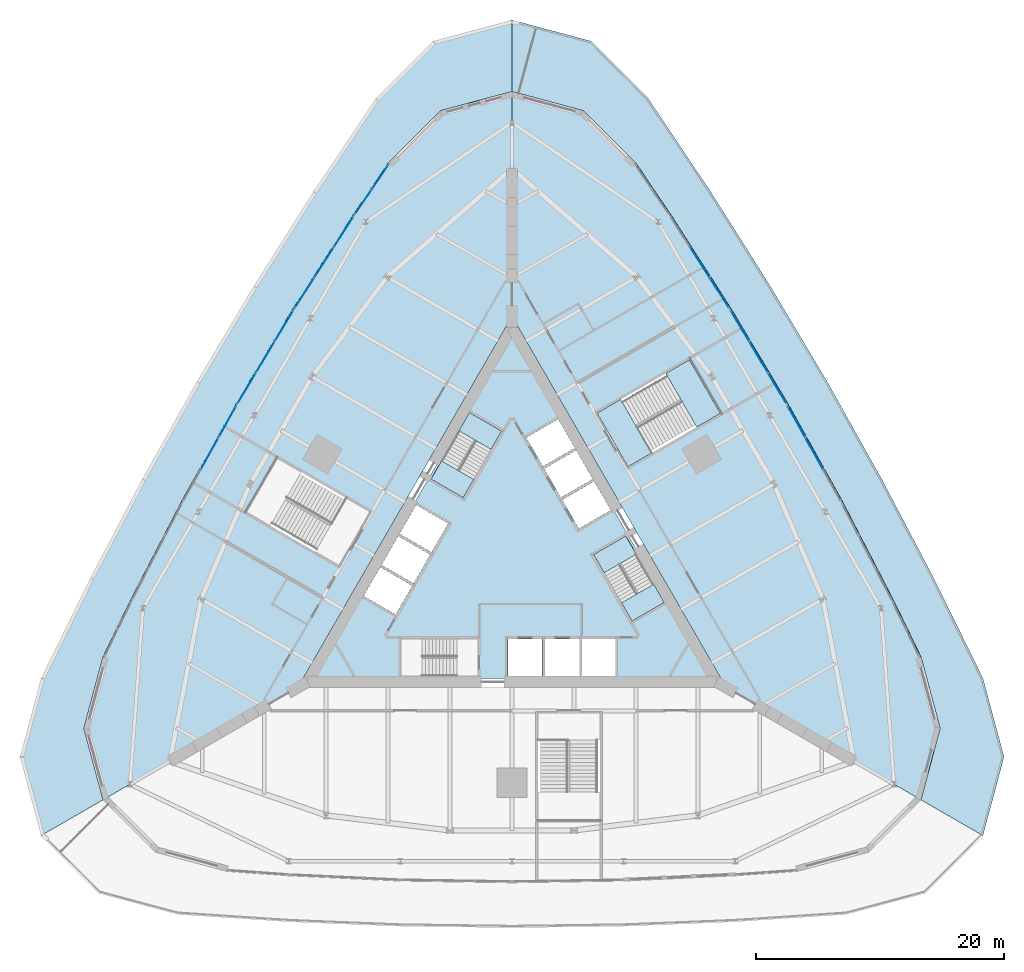
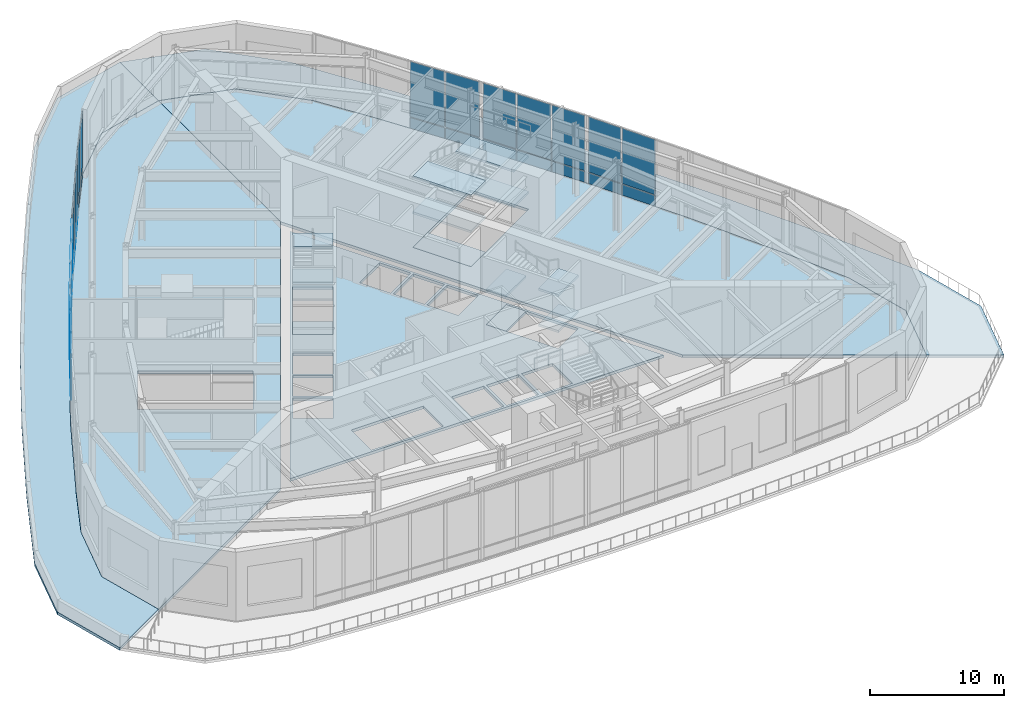
# One storey, part 10 of 19: 34 plates, 18 slabs, 10 elements without a shape of their own.
"""IFC4 building model written with IfcOpenShell, lengths in metres."""

from ifc_helpers import new_model, si_unit, direction, frame, origin, origin_2d, place, context, subcontext, project, spatial, polyline, rectangle, outline, extrude, material, layer, layer_set, type_object, element, aggregate, save


model = new_model("IFC4")

# Units and contexts
model_context = context("Model", 3, precision=1e-05, world=origin(), true_north=direction((0.0, 1.0)))
body_context = subcontext(model_context, "Body", "Model", "MODEL_VIEW")
ifc_project = project(units=[si_unit("LENGTHUNIT", "METRE"), si_unit("AREAUNIT", "SQUARE_METRE"), si_unit("VOLUMEUNIT", "CUBIC_METRE"), si_unit("PLANEANGLEUNIT", "RADIAN"), si_unit("MASSUNIT", "GRAM", prefix="KILO")], contexts=[model_context])

# Site, building, storey
site_placement = place(None, origin())
site = spatial("IfcSite", under=ifc_project, at=site_placement, CompositionType="ELEMENT")
building_placement = place(site_placement, origin())
building = spatial("IfcBuilding", under=site, at=building_placement, Name="Trikona Tower", CompositionType="ELEMENT")
storey_placement = place(building_placement, frame((0.0, 0.0, 11.0)))
storey = spatial("IfcBuildingStorey", under=building, at=storey_placement, Name="L02", CompositionType="ELEMENT", Elevation=11.0)

# Slabs
ifc_material_1 = material(Name="Concrete f'c 5000 psi lightweight on composite steel deck", Category="concrete")
ifc_layer_1 = layer(ifc_material_1, 0.25)
ifc_layer_set_1 = layer_set([ifc_layer_1], Name="Composite floor slab 250")
slab_type_1 = type_object("IfcSlabType", Name="Composite floor slab 250", PredefinedType="FLOOR", material=ifc_layer_set_1)
slab_1_placement = place(storey_placement, frame((0.0, 0.0, -0.25)))
element("IfcSlab", 1, at=slab_1_placement, inside=storey, type_object=slab_type_1, Name="Floor slab L02 core", PredefinedType="FLOOR", context=body_context, shape_type="SweptSolid", body=[
    extrude(outline(polyline([(-16.06689453125, -9.2763671875), (16.06689453125, -9.2763671875), (0.0, 18.552490234375), (-16.06689453125, -9.2763671875)]), holes=[polyline([(9.687255859375, -4.626220703125), (12.285400390625, -3.126220703125), (9.185302734375, 2.2431640625), (6.587158203125, 0.7431640625), (9.687255859375, -4.626220703125)]), polyline([(5.659912109375, -9.06640625), (8.340087890625, -9.06640625), (8.340087890625, -6.086181640625), (5.659912109375, -6.086181640625), (5.659912109375, -9.06640625)]), polyline([(4.05078125, 5.15625), (5.390869140625, 2.835205078125), (7.9716796875, 4.3251953125), (6.631591796875, 6.646240234375), (4.05078125, 5.15625)]), polyline([(5.181640625, 9.15771484375), (2.600830078125, 7.667724609375), (3.94091796875, 5.3466796875), (6.521484375, 6.8369140625), (5.181640625, 9.15771484375)]), polyline([(5.43994140625, -9.06640625), (5.43994140625, -6.086181640625), (2.659912109375, -6.086181640625), (2.659912109375, -9.06640625), (5.43994140625, -9.06640625)]), polyline([(5.071533203125, 9.34814453125), (3.731689453125, 11.669189453125), (1.15087890625, 10.17919921875), (2.490966796875, 7.858154296875), (5.071533203125, 9.34814453125)]), polyline([(2.43994140625, -6.086181640625), (-0.340087890625, -6.086181640625), (-0.340087890625, -9.06640625), (2.43994140625, -9.06640625), (2.43994140625, -6.086181640625)]), polyline([(-0.837158203125, 10.702392578125), (-3.435302734375, 12.202392578125), (-6.535400390625, 6.8330078125), (-3.937255859375, 5.3330078125), (-0.837158203125, 10.702392578125)]), polyline([(-8.949951171875, -6.076416015625), (-8.949951171875, -9.076416015625), (-2.75, -9.076416015625), (-2.75, -6.076416015625), (-8.949951171875, -6.076416015625)]), polyline([(-6.490966796875, 0.929931640625), (-5.15087890625, 3.2509765625), (-7.731689453125, 4.740966796875), (-9.071533203125, 2.419921875), (-6.490966796875, 0.929931640625)]), polyline([(-10.521484375, -0.09130859375), (-7.94091796875, -1.581298828125), (-6.600830078125, 0.739501953125), (-9.181640625, 2.2294921875), (-10.521484375, -0.09130859375)]), polyline([(-10.631591796875, -0.281982421875), (-11.9716796875, -2.602783203125), (-9.390869140625, -4.093017578125), (-8.05078125, -1.77197265625), (-10.631591796875, -0.281982421875)])]), origin(), (0.0, 0.0, 1.0), 0.25),
])
slab_2_placement = place(storey_placement, frame((0.0, 0.0, -0.25)))
element("IfcSlab", 2, at=slab_2_placement, inside=storey, type_object=slab_type_1, Name="Floor slab L02 north-east", PredefinedType="FLOOR", context=body_context, shape_type="SweptSolid", body=[
    extrude(outline(polyline([(22.296630859375, 12.873046875), (17.6748046875, 20.5966796875), (12.808837890625, 28.1796875), (10.0, 32.33154296875), (5.7734375, 36.55810546875), (0.0, 38.10498046875), (0.0, 19.95263671875), (17.279296875, -9.976318359375), (33.0, -19.052490234375), (34.547119140625, -13.279052734375), (33.0, -7.505615234375), (30.808837890625, -2.997314453125), (26.6748046875, 5.00830078125), (22.296630859375, 12.873046875)]), holes=[polyline([(9.364990234375, 7.831787109375), (16.81298828125, 12.1318359375), (14.31298828125, 16.4619140625), (6.864990234375, 12.161865234375), (9.364990234375, 7.831787109375)])]), origin(), (0.0, 0.0, 1.0), 0.25),
])
slab_3_placement = place(storey_placement, frame((0.0, 0.0, -0.25)))
element("IfcSlab", 3, at=slab_3_placement, inside=storey, type_object=slab_type_1, Name="Floor slab L02 north-west", PredefinedType="FLOOR", context=body_context, shape_type="SweptSolid", body=[
    extrude(outline(polyline([(-34.547119140625, -13.279052734375), (-33.0, -19.052490234375), (-17.279296875, -9.976318359375), (0.0, 19.95263671875), (0.0, 38.10498046875), (-5.7734375, 36.55810546875), (-10.0, 32.33154296875), (-12.808837890625, 28.1796875), (-17.6748046875, 20.5966796875), (-22.296630859375, 12.873046875), (-26.6748046875, 5.00830078125), (-30.808837890625, -2.997314453125), (-33.0, -7.505615234375), (-34.547119140625, -13.279052734375)]), holes=[polyline([(-13.965087890625, -0.135498046875), (-11.465087890625, 4.194580078125), (-18.912841796875, 8.494384765625), (-21.412841796875, 4.164306640625), (-13.965087890625, -0.135498046875)])]), origin(), (0.0, 0.0, 1.0), 0.25),
])

# Curtain wall, plates
ifc_material_2 = material(Name="Aluminium curtain wall system", Category="aluminium")
curtain_wall_type = type_object("IfcCurtainWallType", Name="Curtain wall PD", PredefinedType="NOTDEFINED", material=ifc_material_2)
curtain_wall_1_placement = place(storey_placement, origin())
curtain_wall_1 = element("IfcCurtainWall", 4, at=curtain_wall_1_placement, inside=storey, type_object=curtain_wall_type, Name="Curtain wall PD L02", PredefinedType="NOTDEFINED")
ifc_material_3 = material(Name="Clear insulating glass unit", Category="glass")
ifc_layer_2 = layer(ifc_material_3, 0.028076171875)
ifc_layer_set_2 = layer_set([ifc_layer_2], Name="Glass panel PD")
plate_type = type_object("IfcPlateType", Name="Glass panel PD", PredefinedType="CURTAIN_PANEL", material=ifc_layer_set_2)
plate_1_placement = place(storey_placement, frame((24.398193359375, 8.89208984375, 0.08984375), z_axis=(0.0, 0.0, 1.0), x_axis=(-0.486387509156, 0.873743206518, 0.0)))
plate_1 = element("IfcPlate", 5, at=plate_1_placement, type_object=plate_type, Name="CW-PD panel 2.1", PredefinedType="CURTAIN_PANEL", context=body_context, shape_type="SweptSolid", body=[
    extrude(rectangle(XDim=2.870361328125, YDim=0.028076171875, at=origin_2d()), origin(), (0.0, 0.0, 1.0), 0.965087890625),
])
plate_2_placement = place(storey_placement, frame((24.398193359375, 8.89208984375, 1.14501953125), z_axis=(0.0, 0.0, 1.0), x_axis=(-0.486387509156, 0.873743206518, 0.0)))
plate_2 = element("IfcPlate", 6, at=plate_2_placement, type_object=plate_type, Name="CW-PD panel 2.2", PredefinedType="CURTAIN_PANEL", context=body_context, shape_type="SweptSolid", body=[
    extrude(rectangle(XDim=2.870361328125, YDim=0.028076171875, at=origin_2d()), origin(), (0.0, 0.0, 1.0), 5.014892578125),
])
plate_3_placement = place(storey_placement, frame((22.969482421875, 11.458984375, 0.08984375), z_axis=(0.0, 0.0, 1.0), x_axis=(-0.486387509156, 0.873743206518, 0.0)))
plate_3 = element("IfcPlate", 7, at=plate_3_placement, type_object=plate_type, Name="CW-PD panel 3.1", PredefinedType="CURTAIN_PANEL", context=body_context, shape_type="SweptSolid", body=[
    extrude(rectangle(XDim=2.825439453125, YDim=0.028076171875, at=origin_2d()), origin(), (0.0, 0.0, 1.0), 0.965087890625),
])
plate_4_placement = place(storey_placement, frame((22.969482421875, 11.458984375, 1.14501953125), z_axis=(0.0, 0.0, 1.0), x_axis=(-0.486387509156, 0.873743206518, 0.0)))
plate_4 = element("IfcPlate", 8, at=plate_4_placement, type_object=plate_type, Name="CW-PD panel 3.2", PredefinedType="CURTAIN_PANEL", context=body_context, shape_type="SweptSolid", body=[
    extrude(rectangle(XDim=2.825439453125, YDim=0.028076171875, at=origin_2d()), origin(), (0.0, 0.0, 1.0), 5.014892578125),
])
aggregate(curtain_wall_1, [plate_1, plate_2, plate_3, plate_4])

curtain_wall_2_placement = place(storey_placement, origin())
curtain_wall_2 = element("IfcCurtainWall", 9, at=curtain_wall_2_placement, inside=storey, type_object=curtain_wall_type, Name="Curtain wall PD L02", PredefinedType="NOTDEFINED")
plate_5_placement = place(storey_placement, frame((21.408447265625, 14.16259765625, 0.08984375), z_axis=(0.0, 0.0, 1.0), x_axis=(-0.513490302425, 0.858095396396, 0.0)))
plate_5 = element("IfcPlate", 10, at=plate_5_placement, type_object=plate_type, Name="CW-PD panel 1.1", PredefinedType="CURTAIN_PANEL", context=body_context, shape_type="SweptSolid", body=[
    extrude(rectangle(XDim=2.825439453125, YDim=0.028076171875, at=origin_2d()), origin(), (0.0, 0.0, 1.0), 0.965087890625),
])
plate_6_placement = place(storey_placement, frame((21.408447265625, 14.16259765625, 1.14501953125), z_axis=(0.0, 0.0, 1.0), x_axis=(-0.513490302425, 0.858095396396, 0.0)))
plate_6 = element("IfcPlate", 11, at=plate_6_placement, type_object=plate_type, Name="CW-PD panel 1.2", PredefinedType="CURTAIN_PANEL", context=body_context, shape_type="SweptSolid", body=[
    extrude(rectangle(XDim=2.825439453125, YDim=0.028076171875, at=origin_2d()), origin(), (0.0, 0.0, 1.0), 5.014892578125),
])
plate_7_placement = place(storey_placement, frame((19.89990234375, 16.68359375, 0.08984375), z_axis=(0.0, 0.0, 1.0), x_axis=(-0.513490302425, 0.858095396396, 0.0)))
plate_7 = element("IfcPlate", 12, at=plate_7_placement, type_object=plate_type, Name="CW-PD panel 2.1", PredefinedType="CURTAIN_PANEL", context=body_context, shape_type="SweptSolid", body=[
    extrude(rectangle(XDim=2.870361328125, YDim=0.028076171875, at=origin_2d()), origin(), (0.0, 0.0, 1.0), 0.965087890625),
])
plate_8_placement = place(storey_placement, frame((19.89990234375, 16.68359375, 1.14501953125), z_axis=(0.0, 0.0, 1.0), x_axis=(-0.513490302425, 0.858095396396, 0.0)))
plate_8 = element("IfcPlate", 13, at=plate_8_placement, type_object=plate_type, Name="CW-PD panel 2.2", PredefinedType="CURTAIN_PANEL", context=body_context, shape_type="SweptSolid", body=[
    extrude(rectangle(XDim=2.870361328125, YDim=0.028076171875, at=origin_2d()), origin(), (0.0, 0.0, 1.0), 5.014892578125),
])
plate_9_placement = place(storey_placement, frame((18.391357421875, 19.20458984375, 0.08984375), z_axis=(0.0, 0.0, 1.0), x_axis=(-0.513490302425, 0.858095396396, 0.0)))
plate_9 = element("IfcPlate", 14, at=plate_9_placement, type_object=plate_type, Name="CW-PD panel 3.1", PredefinedType="CURTAIN_PANEL", context=body_context, shape_type="SweptSolid", body=[
    extrude(rectangle(XDim=2.825439453125, YDim=0.028076171875, at=origin_2d()), origin(), (0.0, 0.0, 1.0), 0.965087890625),
])
plate_10_placement = place(storey_placement, frame((18.391357421875, 19.20458984375, 1.14501953125), z_axis=(0.0, 0.0, 1.0), x_axis=(-0.513490302425, 0.858095396396, 0.0)))
plate_10 = element("IfcPlate", 15, at=plate_10_placement, type_object=plate_type, Name="CW-PD panel 3.2", PredefinedType="CURTAIN_PANEL", context=body_context, shape_type="SweptSolid", body=[
    extrude(rectangle(XDim=2.825439453125, YDim=0.028076171875, at=origin_2d()), origin(), (0.0, 0.0, 1.0), 5.014892578125),
])
aggregate(curtain_wall_2, [plate_5, plate_6, plate_7, plate_8, plate_9, plate_10])

curtain_wall_3_placement = place(storey_placement, origin())
curtain_wall_3 = element("IfcCurtainWall", 16, at=curtain_wall_3_placement, inside=storey, type_object=curtain_wall_type, Name="Curtain wall PD L02", PredefinedType="NOTDEFINED")
plate_11_placement = place(storey_placement, frame((16.745849609375, 21.859130859375, 0.08984375), z_axis=(0.0, 0.0, 1.0), x_axis=(-0.540065506463, 0.84162298491, 0.0)))
plate_11 = element("IfcPlate", 17, at=plate_11_placement, type_object=plate_type, Name="CW-PD panel 1.1", PredefinedType="CURTAIN_PANEL", context=body_context, shape_type="SweptSolid", body=[
    extrude(rectangle(XDim=2.828369140625, YDim=0.028076171875, at=origin_2d()), origin(), (0.0, 0.0, 1.0), 0.965087890625),
])
plate_12_placement = place(storey_placement, frame((16.745849609375, 21.859130859375, 1.14501953125), z_axis=(0.0, 0.0, 1.0), x_axis=(-0.540065506463, 0.84162298491, 0.0)))
plate_12 = element("IfcPlate", 18, at=plate_12_placement, type_object=plate_type, Name="CW-PD panel 1.2", PredefinedType="CURTAIN_PANEL", context=body_context, shape_type="SweptSolid", body=[
    extrude(rectangle(XDim=2.828369140625, YDim=0.028076171875, at=origin_2d()), origin(), (0.0, 0.0, 1.0), 5.014892578125),
])
plate_13_placement = place(storey_placement, frame((15.157470703125, 24.334228515625, 0.08984375), z_axis=(0.0, 0.0, 1.0), x_axis=(-0.540065506463, 0.84162298491, 0.0)))
plate_13 = element("IfcPlate", 19, at=plate_13_placement, type_object=plate_type, Name="CW-PD panel 2.1", PredefinedType="CURTAIN_PANEL", context=body_context, shape_type="SweptSolid", body=[
    extrude(rectangle(XDim=2.873291015625, YDim=0.028076171875, at=origin_2d()), origin(), (0.0, 0.0, 1.0), 0.965087890625),
])
plate_14_placement = place(storey_placement, frame((15.157470703125, 24.334228515625, 1.14501953125), z_axis=(0.0, 0.0, 1.0), x_axis=(-0.540065506463, 0.84162298491, 0.0)))
plate_14 = element("IfcPlate", 20, at=plate_14_placement, type_object=plate_type, Name="CW-PD panel 2.2", PredefinedType="CURTAIN_PANEL", context=body_context, shape_type="SweptSolid", body=[
    extrude(rectangle(XDim=2.873291015625, YDim=0.028076171875, at=origin_2d()), origin(), (0.0, 0.0, 1.0), 5.014892578125),
])
aggregate(curtain_wall_3, [plate_11, plate_12, plate_13, plate_14])

curtain_wall_4_placement = place(storey_placement, origin())
curtain_wall_4 = element("IfcCurtainWall", 21, at=curtain_wall_4_placement, inside=storey, type_object=curtain_wall_type, Name="Curtain wall PD L02", PredefinedType="NOTDEFINED")
plate_15_placement = place(storey_placement, frame((-10.64892578125, 31.194091796875, 0.08984375), z_axis=(0.0, 0.0, 1.0), x_axis=(-0.560337823373, -0.828264162992, 0.0)))
plate_15 = element("IfcPlate", 22, at=plate_15_placement, type_object=plate_type, Name="CW-PD panel 1.1", PredefinedType="CURTAIN_PANEL", context=body_context, shape_type="SweptSolid", body=[
    extrude(rectangle(XDim=2.311279296875, YDim=0.028076171875, at=origin_2d()), origin(), (0.0, 0.0, 1.0), 0.965087890625),
])
plate_16_placement = place(storey_placement, frame((-10.64892578125, 31.194091796875, 1.14501953125), z_axis=(0.0, 0.0, 1.0), x_axis=(-0.560337823373, -0.828264162992, 0.0)))
plate_16 = element("IfcPlate", 23, at=plate_16_placement, type_object=plate_type, Name="CW-PD panel 1.2", PredefinedType="CURTAIN_PANEL", context=body_context, shape_type="SweptSolid", body=[
    extrude(rectangle(XDim=2.311279296875, YDim=0.028076171875, at=origin_2d()), origin(), (0.0, 0.0, 1.0), 5.014892578125),
])
plate_17_placement = place(storey_placement, frame((-11.994384765625, 29.205078125, 0.08984375), z_axis=(0.0, 0.0, 1.0), x_axis=(-0.560337823373, -0.828264162992, 0.0)))
plate_17 = element("IfcPlate", 24, at=plate_17_placement, type_object=plate_type, Name="CW-PD panel 2.1", PredefinedType="CURTAIN_PANEL", context=body_context, shape_type="SweptSolid", body=[
    extrude(rectangle(XDim=2.311279296875, YDim=0.028076171875, at=origin_2d()), origin(), (0.0, 0.0, 1.0), 0.965087890625),
])
plate_18_placement = place(storey_placement, frame((-11.994384765625, 29.205078125, 1.14501953125), z_axis=(0.0, 0.0, 1.0), x_axis=(-0.560337823373, -0.828264162992, 0.0)))
plate_18 = element("IfcPlate", 25, at=plate_18_placement, type_object=plate_type, Name="CW-PD panel 2.2", PredefinedType="CURTAIN_PANEL", context=body_context, shape_type="SweptSolid", body=[
    extrude(rectangle(XDim=2.311279296875, YDim=0.028076171875, at=origin_2d()), origin(), (0.0, 0.0, 1.0), 5.014892578125),
])
aggregate(curtain_wall_4, [plate_15, plate_16, plate_17, plate_18])

curtain_wall_5_placement = place(storey_placement, origin())
curtain_wall_5 = element("IfcCurtainWall", 26, at=curtain_wall_5_placement, inside=storey, type_object=curtain_wall_type, Name="Curtain wall PD L02", PredefinedType="NOTDEFINED")
plate_19_placement = place(storey_placement, frame((-13.5693359375, 26.809326171875, 0.08984375), z_axis=(0.0, 0.0, 1.0), x_axis=(-0.540065506463, -0.84162298491, 0.0)))
plate_19 = element("IfcPlate", 27, at=plate_19_placement, type_object=plate_type, Name="CW-PD panel 1.1", PredefinedType="CURTAIN_PANEL", context=body_context, shape_type="SweptSolid", body=[
    extrude(rectangle(XDim=2.828369140625, YDim=0.028076171875, at=origin_2d()), origin(), (0.0, 0.0, 1.0), 0.965087890625),
])
plate_20_placement = place(storey_placement, frame((-13.5693359375, 26.809326171875, 1.14501953125), z_axis=(0.0, 0.0, 1.0), x_axis=(-0.540065506463, -0.84162298491, 0.0)))
plate_20 = element("IfcPlate", 28, at=plate_20_placement, type_object=plate_type, Name="CW-PD panel 1.2", PredefinedType="CURTAIN_PANEL", context=body_context, shape_type="SweptSolid", body=[
    extrude(rectangle(XDim=2.828369140625, YDim=0.028076171875, at=origin_2d()), origin(), (0.0, 0.0, 1.0), 5.014892578125),
])
plate_21_placement = place(storey_placement, frame((-15.157470703125, 24.334228515625, 0.08984375), z_axis=(0.0, 0.0, 1.0), x_axis=(-0.540065506463, -0.84162298491, 0.0)))
plate_21 = element("IfcPlate", 29, at=plate_21_placement, type_object=plate_type, Name="CW-PD panel 2.1", PredefinedType="CURTAIN_PANEL", context=body_context, shape_type="SweptSolid", body=[
    extrude(rectangle(XDim=2.873291015625, YDim=0.028076171875, at=origin_2d()), origin(), (0.0, 0.0, 1.0), 0.965087890625),
])
plate_22_placement = place(storey_placement, frame((-15.157470703125, 24.334228515625, 1.14501953125), z_axis=(0.0, 0.0, 1.0), x_axis=(-0.540065506463, -0.84162298491, 0.0)))
plate_22 = element("IfcPlate", 30, at=plate_22_placement, type_object=plate_type, Name="CW-PD panel 2.2", PredefinedType="CURTAIN_PANEL", context=body_context, shape_type="SweptSolid", body=[
    extrude(rectangle(XDim=2.873291015625, YDim=0.028076171875, at=origin_2d()), origin(), (0.0, 0.0, 1.0), 5.014892578125),
])
plate_23_placement = place(storey_placement, frame((-16.745849609375, 21.859130859375, 0.08984375), z_axis=(0.0, 0.0, 1.0), x_axis=(-0.540065506463, -0.84162298491, 0.0)))
plate_23 = element("IfcPlate", 31, at=plate_23_placement, type_object=plate_type, Name="CW-PD panel 3.1", PredefinedType="CURTAIN_PANEL", context=body_context, shape_type="SweptSolid", body=[
    extrude(rectangle(XDim=2.828369140625, YDim=0.028076171875, at=origin_2d()), origin(), (0.0, 0.0, 1.0), 0.965087890625),
])
plate_24_placement = place(storey_placement, frame((-16.745849609375, 21.859130859375, 1.14501953125), z_axis=(0.0, 0.0, 1.0), x_axis=(-0.540065506463, -0.84162298491, 0.0)))
plate_24 = element("IfcPlate", 32, at=plate_24_placement, type_object=plate_type, Name="CW-PD panel 3.2", PredefinedType="CURTAIN_PANEL", context=body_context, shape_type="SweptSolid", body=[
    extrude(rectangle(XDim=2.828369140625, YDim=0.028076171875, at=origin_2d()), origin(), (0.0, 0.0, 1.0), 5.014892578125),
])
aggregate(curtain_wall_5, [plate_19, plate_20, plate_21, plate_22, plate_23, plate_24])

curtain_wall_6_placement = place(storey_placement, origin())
curtain_wall_6 = element("IfcCurtainWall", 33, at=curtain_wall_6_placement, inside=storey, type_object=curtain_wall_type, Name="Curtain wall PD L02", PredefinedType="NOTDEFINED")
plate_25_placement = place(storey_placement, frame((-18.391357421875, 19.20458984375, 0.08984375), z_axis=(0.0, 0.0, 1.0), x_axis=(-0.513490302425, -0.858095396396, 0.0)))
plate_25 = element("IfcPlate", 34, at=plate_25_placement, type_object=plate_type, Name="CW-PD panel 1.1", PredefinedType="CURTAIN_PANEL", context=body_context, shape_type="SweptSolid", body=[
    extrude(rectangle(XDim=2.825439453125, YDim=0.028076171875, at=origin_2d()), origin(), (0.0, 0.0, 1.0), 0.965087890625),
])
plate_26_placement = place(storey_placement, frame((-18.391357421875, 19.20458984375, 1.14501953125), z_axis=(0.0, 0.0, 1.0), x_axis=(-0.513490302425, -0.858095396396, 0.0)))
plate_26 = element("IfcPlate", 35, at=plate_26_placement, type_object=plate_type, Name="CW-PD panel 1.2", PredefinedType="CURTAIN_PANEL", context=body_context, shape_type="SweptSolid", body=[
    extrude(rectangle(XDim=2.825439453125, YDim=0.028076171875, at=origin_2d()), origin(), (0.0, 0.0, 1.0), 5.014892578125),
])
plate_27_placement = place(storey_placement, frame((-19.89990234375, 16.68359375, 0.08984375), z_axis=(0.0, 0.0, 1.0), x_axis=(-0.513490302425, -0.858095396396, 0.0)))
plate_27 = element("IfcPlate", 36, at=plate_27_placement, type_object=plate_type, Name="CW-PD panel 2.1", PredefinedType="CURTAIN_PANEL", context=body_context, shape_type="SweptSolid", body=[
    extrude(rectangle(XDim=2.870361328125, YDim=0.028076171875, at=origin_2d()), origin(), (0.0, 0.0, 1.0), 0.965087890625),
])
plate_28_placement = place(storey_placement, frame((-19.89990234375, 16.68359375, 1.14501953125), z_axis=(0.0, 0.0, 1.0), x_axis=(-0.513490302425, -0.858095396396, 0.0)))
plate_28 = element("IfcPlate", 37, at=plate_28_placement, type_object=plate_type, Name="CW-PD panel 2.2", PredefinedType="CURTAIN_PANEL", context=body_context, shape_type="SweptSolid", body=[
    extrude(rectangle(XDim=2.870361328125, YDim=0.028076171875, at=origin_2d()), origin(), (0.0, 0.0, 1.0), 5.014892578125),
])
plate_29_placement = place(storey_placement, frame((-21.408447265625, 14.16259765625, 0.08984375), z_axis=(0.0, 0.0, 1.0), x_axis=(-0.513490302425, -0.858095396396, 0.0)))
plate_29 = element("IfcPlate", 38, at=plate_29_placement, type_object=plate_type, Name="CW-PD panel 3.1", PredefinedType="CURTAIN_PANEL", context=body_context, shape_type="SweptSolid", body=[
    extrude(rectangle(XDim=2.825439453125, YDim=0.028076171875, at=origin_2d()), origin(), (0.0, 0.0, 1.0), 0.965087890625),
])
plate_30_placement = place(storey_placement, frame((-21.408447265625, 14.16259765625, 1.14501953125), z_axis=(0.0, 0.0, 1.0), x_axis=(-0.513490302425, -0.858095396396, 0.0)))
plate_30 = element("IfcPlate", 39, at=plate_30_placement, type_object=plate_type, Name="CW-PD panel 3.2", PredefinedType="CURTAIN_PANEL", context=body_context, shape_type="SweptSolid", body=[
    extrude(rectangle(XDim=2.825439453125, YDim=0.028076171875, at=origin_2d()), origin(), (0.0, 0.0, 1.0), 5.014892578125),
])
aggregate(curtain_wall_6, [plate_25, plate_26, plate_27, plate_28, plate_29, plate_30])

curtain_wall_7_placement = place(storey_placement, origin())
curtain_wall_7 = element("IfcCurtainWall", 40, at=curtain_wall_7_placement, inside=storey, type_object=curtain_wall_type, Name="Curtain wall PD L02", PredefinedType="NOTDEFINED")
plate_31_placement = place(storey_placement, frame((-22.969482421875, 11.458984375, 0.08984375), z_axis=(0.0, 0.0, 1.0), x_axis=(-0.486387509156, -0.873743206518, 0.0)))
plate_31 = element("IfcPlate", 41, at=plate_31_placement, type_object=plate_type, Name="CW-PD panel 1.1", PredefinedType="CURTAIN_PANEL", context=body_context, shape_type="SweptSolid", body=[
    extrude(rectangle(XDim=2.825439453125, YDim=0.028076171875, at=origin_2d()), origin(), (0.0, 0.0, 1.0), 0.965087890625),
])
plate_32_placement = place(storey_placement, frame((-22.969482421875, 11.458984375, 1.14501953125), z_axis=(0.0, 0.0, 1.0), x_axis=(-0.486387509156, -0.873743206518, 0.0)))
plate_32 = element("IfcPlate", 42, at=plate_32_placement, type_object=plate_type, Name="CW-PD panel 1.2", PredefinedType="CURTAIN_PANEL", context=body_context, shape_type="SweptSolid", body=[
    extrude(rectangle(XDim=2.825439453125, YDim=0.028076171875, at=origin_2d()), origin(), (0.0, 0.0, 1.0), 5.014892578125),
])
plate_33_placement = place(storey_placement, frame((-24.398193359375, 8.89208984375, 0.08984375), z_axis=(0.0, 0.0, 1.0), x_axis=(-0.486387509156, -0.873743206518, 0.0)))
plate_33 = element("IfcPlate", 43, at=plate_33_placement, type_object=plate_type, Name="CW-PD panel 2.1", PredefinedType="CURTAIN_PANEL", context=body_context, shape_type="SweptSolid", body=[
    extrude(rectangle(XDim=2.870361328125, YDim=0.028076171875, at=origin_2d()), origin(), (0.0, 0.0, 1.0), 0.965087890625),
])
plate_34_placement = place(storey_placement, frame((-24.398193359375, 8.89208984375, 1.14501953125), z_axis=(0.0, 0.0, 1.0), x_axis=(-0.486387509156, -0.873743206518, 0.0)))
plate_34 = element("IfcPlate", 44, at=plate_34_placement, type_object=plate_type, Name="CW-PD panel 2.2", PredefinedType="CURTAIN_PANEL", context=body_context, shape_type="SweptSolid", body=[
    extrude(rectangle(XDim=2.870361328125, YDim=0.028076171875, at=origin_2d()), origin(), (0.0, 0.0, 1.0), 5.014892578125),
])
aggregate(curtain_wall_7, [plate_31, plate_32, plate_33, plate_34])

# Stair, slabs
ifc_material_4 = material(Name="Concrete f'c 5000 psi", Category="concrete")
stair_type_1 = type_object("IfcStairType", Name="Core stair", PredefinedType="HALF_TURN_STAIR", material=ifc_material_4)
stair_1_placement = place(storey_placement, origin())
stair_1 = element("IfcStair", 45, at=stair_1_placement, inside=storey, type_object=stair_type_1, Name="Stair B L02", PredefinedType="HALF_TURN_STAIR")
ifc_material_5 = material(Name="Concrete f'c 5000 psi", Category="concrete")
ifc_layer_3 = layer(ifc_material_5, 0.199951171875)
ifc_layer_set_3 = layer_set([ifc_layer_3], Name="Stair landing 200")
slab_type_2 = type_object("IfcSlabType", Name="Stair landing 200", PredefinedType="LANDING", material=ifc_layer_set_3)
slab_4_placement = place(storey_placement, frame((0.0, 0.0, -0.199951171875)))
slab_4 = element("IfcSlab", 46, at=slab_4_placement, type_object=slab_type_2, Name="ST-B landing 1", PredefinedType="LANDING", context=body_context, shape_type="SweptSolid", body=[
    extrude(outline(polyline([(7.438720703125, -0.731689453125), (6.587158203125, 0.7431640625), (9.185302734375, 2.2431640625), (10.036865234375, 0.768310546875), (7.438720703125, -0.731689453125)])), origin(), (0.0, 0.0, 1.0), 0.199951171875),
])
slab_5_placement = place(storey_placement, frame((0.0, 0.0, 1.425048828125)))
slab_5 = element("IfcSlab", 47, at=slab_5_placement, type_object=slab_type_2, Name="ST-B landing 2", PredefinedType="LANDING", context=body_context, shape_type="SweptSolid", body=[
    extrude(outline(polyline([(9.687255859375, -4.626220703125), (8.835693359375, -3.1513671875), (11.433837890625, -1.6513671875), (12.285400390625, -3.126220703125), (9.687255859375, -4.626220703125)])), origin(), (0.0, 0.0, 1.0), 0.199951171875),
])
slab_6_placement = place(storey_placement, frame((0.0, 0.0, 3.050048828125)))
slab_6 = element("IfcSlab", 48, at=slab_6_placement, type_object=slab_type_2, Name="ST-B landing 3", PredefinedType="LANDING", context=body_context, shape_type="SweptSolid", body=[
    extrude(outline(polyline([(7.438720703125, -0.731689453125), (6.587158203125, 0.7431640625), (9.185302734375, 2.2431640625), (10.036865234375, 0.768310546875), (7.438720703125, -0.731689453125)])), origin(), (0.0, 0.0, 1.0), 0.199951171875),
])
slab_7_placement = place(storey_placement, frame((0.0, 0.0, 4.675048828125)))
slab_7 = element("IfcSlab", 49, at=slab_7_placement, type_object=slab_type_2, Name="ST-B landing 4", PredefinedType="LANDING", context=body_context, shape_type="SweptSolid", body=[
    extrude(outline(polyline([(9.687255859375, -4.626220703125), (8.835693359375, -3.1513671875), (11.433837890625, -1.6513671875), (12.285400390625, -3.126220703125), (9.687255859375, -4.626220703125)])), origin(), (0.0, 0.0, 1.0), 0.199951171875),
])
aggregate(stair_1, [slab_4, slab_5, slab_6, slab_7])

stair_2_placement = place(storey_placement, origin())
stair_2 = element("IfcStair", 50, at=stair_2_placement, inside=storey, type_object=stair_type_1, Name="Stair C L02", PredefinedType="HALF_TURN_STAIR")
slab_8_placement = place(storey_placement, frame((0.0, 0.0, -0.199951171875)))
slab_8 = element("IfcSlab", 51, at=slab_8_placement, type_object=slab_type_2, Name="ST-C landing 1", PredefinedType="LANDING", context=body_context, shape_type="SweptSolid", body=[
    extrude(outline(polyline([(-3.085693359375, 6.807861328125), (-3.937255859375, 5.3330078125), (-6.535400390625, 6.8330078125), (-5.683837890625, 8.307861328125), (-3.085693359375, 6.807861328125)])), origin(), (0.0, 0.0, 1.0), 0.199951171875),
])
slab_9_placement = place(storey_placement, frame((0.0, 0.0, 1.425048828125)))
slab_9 = element("IfcSlab", 52, at=slab_9_placement, type_object=slab_type_2, Name="ST-C landing 2", PredefinedType="LANDING", context=body_context, shape_type="SweptSolid", body=[
    extrude(outline(polyline([(-0.837158203125, 10.702392578125), (-1.688720703125, 9.2275390625), (-4.286865234375, 10.7275390625), (-3.435302734375, 12.202392578125), (-0.837158203125, 10.702392578125)])), origin(), (0.0, 0.0, 1.0), 0.199951171875),
])
slab_10_placement = place(storey_placement, frame((0.0, 0.0, 3.050048828125)))
slab_10 = element("IfcSlab", 53, at=slab_10_placement, type_object=slab_type_2, Name="ST-C landing 3", PredefinedType="LANDING", context=body_context, shape_type="SweptSolid", body=[
    extrude(outline(polyline([(-3.085693359375, 6.807861328125), (-3.937255859375, 5.3330078125), (-6.535400390625, 6.8330078125), (-5.683837890625, 8.307861328125), (-3.085693359375, 6.807861328125)])), origin(), (0.0, 0.0, 1.0), 0.199951171875),
])
slab_11_placement = place(storey_placement, frame((0.0, 0.0, 4.675048828125)))
slab_11 = element("IfcSlab", 54, at=slab_11_placement, type_object=slab_type_2, Name="ST-C landing 4", PredefinedType="LANDING", context=body_context, shape_type="SweptSolid", body=[
    extrude(outline(polyline([(-0.837158203125, 10.702392578125), (-1.688720703125, 9.2275390625), (-4.286865234375, 10.7275390625), (-3.435302734375, 12.202392578125), (-0.837158203125, 10.702392578125)])), origin(), (0.0, 0.0, 1.0), 0.199951171875),
])
aggregate(stair_2, [slab_8, slab_9, slab_10, slab_11])

ifc_material_6 = material(Name="Concrete f'c 5000 psi", Category="concrete")
stair_type_2 = type_object("IfcStairType", Name="Podium stair", PredefinedType="HALF_TURN_STAIR", material=ifc_material_6)
stair_3_placement = place(storey_placement, origin())
stair_3 = element("IfcStair", 55, at=stair_3_placement, inside=storey, type_object=stair_type_2, Name="Podium stair PS2 L02", PredefinedType="HALF_TURN_STAIR")
slab_12_placement = place(storey_placement, frame((0.0, 0.0, -0.199951171875)))
slab_12 = element("IfcSlab", 56, at=slab_12_placement, type_object=slab_type_2, Name="PS2 landing 1", PredefinedType="LANDING", context=body_context, shape_type="SweptSolid", body=[
    extrude(outline(polyline([(9.364990234375, 7.831787109375), (6.864990234375, 12.161865234375), (8.77294921875, 13.263427734375), (11.27294921875, 8.933349609375), (9.364990234375, 7.831787109375)])), origin(), (0.0, 0.0, 1.0), 0.199951171875),
])
slab_13_placement = place(storey_placement, frame((0.0, 0.0, 1.425048828125)))
slab_13 = element("IfcSlab", 57, at=slab_13_placement, type_object=slab_type_2, Name="PS2 landing 2", PredefinedType="LANDING", context=body_context, shape_type="SweptSolid", body=[
    extrude(outline(polyline([(14.905029296875, 11.0302734375), (12.405029296875, 15.3603515625), (14.31298828125, 16.4619140625), (16.81298828125, 12.1318359375), (14.905029296875, 11.0302734375)])), origin(), (0.0, 0.0, 1.0), 0.199951171875),
])
slab_14_placement = place(storey_placement, frame((0.0, 0.0, 3.050048828125)))
slab_14 = element("IfcSlab", 58, at=slab_14_placement, type_object=slab_type_2, Name="PS2 landing 3", PredefinedType="LANDING", context=body_context, shape_type="SweptSolid", body=[
    extrude(outline(polyline([(9.364990234375, 7.831787109375), (6.864990234375, 12.161865234375), (8.77294921875, 13.263427734375), (11.27294921875, 8.933349609375), (9.364990234375, 7.831787109375)])), origin(), (0.0, 0.0, 1.0), 0.199951171875),
])
slab_15_placement = place(storey_placement, frame((0.0, 0.0, 4.675048828125)))
slab_15 = element("IfcSlab", 59, at=slab_15_placement, type_object=slab_type_2, Name="PS2 landing 4", PredefinedType="LANDING", context=body_context, shape_type="SweptSolid", body=[
    extrude(outline(polyline([(14.905029296875, 11.0302734375), (12.405029296875, 15.3603515625), (14.31298828125, 16.4619140625), (16.81298828125, 12.1318359375), (14.905029296875, 11.0302734375)])), origin(), (0.0, 0.0, 1.0), 0.199951171875),
])
slab_16_placement = place(storey_placement, frame((0.0, 0.0, 6.300048828125)))
slab_16 = element("IfcSlab", 60, at=slab_16_placement, type_object=slab_type_2, Name="PS2 landing 5", PredefinedType="LANDING", context=body_context, shape_type="SweptSolid", body=[
    extrude(outline(polyline([(9.364990234375, 7.831787109375), (6.864990234375, 12.161865234375), (8.77294921875, 13.263427734375), (11.27294921875, 8.933349609375), (9.364990234375, 7.831787109375)])), origin(), (0.0, 0.0, 1.0), 0.199951171875),
])
aggregate(stair_3, [slab_12, slab_13, slab_14, slab_15, slab_16])

# Slabs
ifc_material_7 = material(Name="Concrete f'c 5000 psi on composite steel deck", Category="concrete")
ifc_layer_4 = layer(ifc_material_7, 0.25)
ifc_layer_set_4 = layer_set([ifc_layer_4], Name="Terrace slab 250")
slab_type_3 = type_object("IfcSlabType", Name="Terrace slab 250", PredefinedType="ROOF", material=ifc_layer_set_4)
slab_17_placement = place(storey_placement, frame((0.0, 0.0, -0.25)))
element("IfcSlab", 61, at=slab_17_placement, inside=storey, type_object=slab_type_3, Name="Terrace L02 north-east part 2", PredefinedType="ROOF", context=body_context, shape_type="SweptSolid", body=[
    extrude(outline(polyline([(6.350830078125, 42.177001953125), (0.0, 43.878662109375), (0.0, 38.106201171875), (5.774169921875, 36.558837890625), (10.000732421875, 32.332275390625), (12.8095703125, 28.18017578125), (17.675537109375, 20.597412109375), (22.297607421875, 12.87353515625), (26.675537109375, 5.0087890625), (30.809814453125, -2.99658203125), (33.0009765625, -7.50537109375), (34.548095703125, -13.279296875), (33.0009765625, -19.052978515625), (38.0, -21.939208984375), (39.70166015625, -15.58837890625), (38.0, -9.237548828125), (34.01953125, -1.143310546875), (29.831298828125, 6.830810546875), (25.435302734375, 14.68505859375), (20.831298828125, 22.419189453125), (16.01953125, 30.033447265625), (11.0, 37.52783203125), (6.350830078125, 42.177001953125)])), origin(), (0.0, 0.0, 1.0), 0.25),
])
slab_18_placement = place(storey_placement, frame((0.0, 0.0, -0.25)))
element("IfcSlab", 62, at=slab_18_placement, inside=storey, type_object=slab_type_3, Name="Green roof L02 north-west part 3", PredefinedType="ROOF", context=body_context, shape_type="SweptSolid", body=[
    extrude(outline(polyline([(-38.0, -21.939208984375), (-33.0009765625, -19.052978515625), (-34.548095703125, -13.279296875), (-33.0009765625, -7.50537109375), (-30.809814453125, -2.99658203125), (-26.675537109375, 5.0087890625), (-22.297607421875, 12.87353515625), (-17.675537109375, 20.597412109375), (-12.8095703125, 28.18017578125), (-10.000732421875, 32.332275390625), (-5.77392578125, 36.55908203125), (0.0, 38.106201171875), (0.0, 43.878662109375), (-6.350830078125, 42.177001953125), (-11.0, 37.52783203125), (-16.01953125, 30.033447265625), (-20.831298828125, 22.419189453125), (-25.435302734375, 14.68505859375), (-29.831298828125, 6.830810546875), (-34.01953125, -1.143310546875), (-38.0, -9.237548828125), (-39.70166015625, -15.58837890625), (-38.0, -21.939208984375)])), origin(), (0.0, 0.0, 1.0), 0.25),
])

save(model, "model.ifc")
